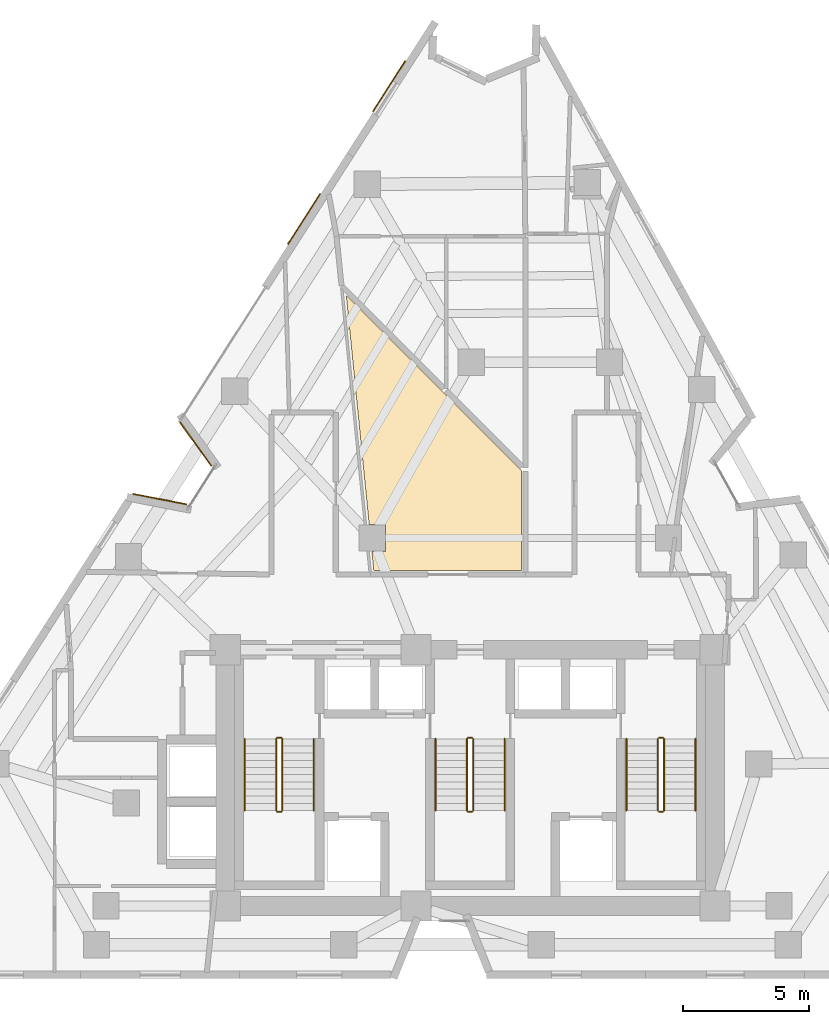
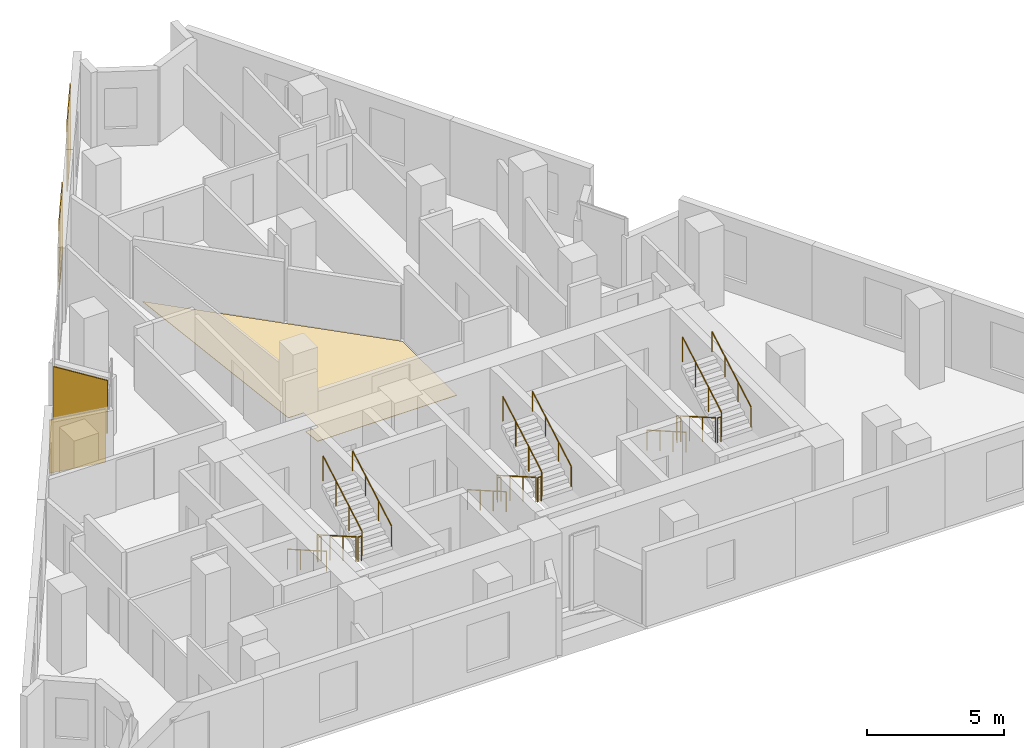
# One storey, part 10 of 10: 18 railings, 5 coverings.
"""IFC4 building model written with IfcOpenShell, lengths in metres."""

from ifc_helpers import new_model, si_unit, direction, frame, origin, origin_2d, place, context, subcontext, project, spatial, polyline, rectangle, circle, outline, extrude, material, layer, layer_set, type_object, element, save


model = new_model("IFC4")

# Units and contexts
model_context = context("Model", 3, precision=1e-05, world=origin(), true_north=direction((0.0, 1.0)))
body_context = subcontext(model_context, "Body", "Model", "MODEL_VIEW")
ifc_project = project(units=[si_unit("LENGTHUNIT", "METRE"), si_unit("AREAUNIT", "SQUARE_METRE"), si_unit("VOLUMEUNIT", "CUBIC_METRE"), si_unit("PLANEANGLEUNIT", "RADIAN"), si_unit("MASSUNIT", "GRAM", prefix="KILO")], contexts=[model_context])

# Site, building, storey
site_placement = place(None, origin())
site = spatial("IfcSite", under=ifc_project, at=site_placement, CompositionType="ELEMENT")
building_placement = place(site_placement, origin())
building = spatial("IfcBuilding", under=site, at=building_placement, Name="Almagre Mirador Tower", CompositionType="ELEMENT")
storey_placement = place(building_placement, frame((0.0, 0.0, 164.39990234375)))
storey = spatial("IfcBuildingStorey", under=building, at=storey_placement, Name="L42", CompositionType="ELEMENT", Elevation=164.39990234375)

# Coverings
ifc_material_1 = material(Name="Almagre terracotta architectural cladding", Category="masonry")
ifc_layer_1 = layer(ifc_material_1, 0.044921875)
ifc_layer_set_1 = layer_set([ifc_layer_1], Name="Almagre terracotta architectural cladding")
covering_type_1 = type_object("IfcCoveringType", Name="COV-CLAD-ALMAGRE", PredefinedType="CLADDING", material=ifc_layer_set_1)
covering_1_placement = place(storey_placement, frame((24.943359375, 20.74951171875, 0.10009765625), z_axis=(0.0, 0.0, 1.0), x_axis=(0.981746878502, -0.190192183203, 0.0)))
element("IfcCovering", 1, at=covering_1_placement, inside=storey, type_object=covering_type_1, Name="L42 almagre terracotta pier cladding", PredefinedType="CLADDING", context=body_context, shape_type="SweptSolid", body=[
    extrude(rectangle(XDim=2.193115234375, YDim=0.044921875, at=origin_2d()), origin(), (0.0, 0.0, 1.0), 2.375),
])
covering_2_placement = place(storey_placement, frame((26.359375, 22.95947265625, 0.10009765625), z_axis=(0.0, 0.0, 1.0), x_axis=(-0.583002488864, 0.812470367446, 0.0)))
element("IfcCovering", 2, at=covering_2_placement, inside=storey, type_object=covering_type_1, Name="L42 almagre terracotta pier cladding", PredefinedType="CLADDING", context=body_context, shape_type="SweptSolid", body=[
    extrude(rectangle(XDim=2.194091796875, YDim=0.044921875, at=origin_2d()), origin(), (0.0, 0.0, 1.0), 2.375),
])
for number, where, z_axis, x_axis, name in (
    (3, (30.688232421875, 31.9091796875, 0.10009765625), (0.0, 0.0, 1.0), (0.539535148555, 0.841963077263, 0.0), "L42 almagre terracotta pier cladding"),
    (4, (34.07763671875, 37.1982421875, 0.10009765625), (0.0, 0.0, 1.0), (0.539520453445, 0.841972493799, 0.0), "L42 almagre terracotta pier cladding"),
):
    element("IfcCovering", number, at=place(storey_placement, frame(where, z_axis=z_axis, x_axis=x_axis)), inside=storey, type_object=covering_type_1, Name=name, PredefinedType="CLADDING", context=body_context, shape_type="SweptSolid", body=[
        extrude(rectangle(XDim=2.39990234375, YDim=0.044921875, at=origin_2d()), origin(), (0.0, 0.0, 1.0), 3.14990234375),
    ])
ifc_material_2 = material(Name="Engineered white oak flooring", Category="wood")
ifc_layer_2 = layer(ifc_material_2, 0.01806640625)
ifc_layer_set_2 = layer_set([ifc_layer_2], Name="Engineered white oak flooring")
covering_type_2 = type_object("IfcCoveringType", Name="COV-FLR-OAK-18", PredefinedType="FLOORING", material=ifc_layer_set_2)
covering_3_placement = place(storey_placement, origin())
element("IfcCovering", 5, at=covering_3_placement, inside=storey, type_object=covering_type_2, Name="L42 L42 Residents Reading Gallery G finish flooring", PredefinedType="FLOORING", context=body_context, shape_type="SweptSolid", body=[
    extrude(outline(polyline([(33.466064453125, 17.89990234375), (33.388916015625, 18.669921875), (33.929931640625, 18.669921875), (33.929931640625, 19.72998046875), (33.282958984375, 19.72998046875), (32.37109375, 28.846923828125), (39.35009765625, 21.867919921875), (39.35009765625, 17.89990234375), (33.466064453125, 17.89990234375)])), origin(), (0.0, 0.0, 1.0), 0.01806640625),
])

# Railings
ifc_material_3 = material(Name="Painted galvanized steel", Category="steel")
railing_type_1 = type_object("IfcRailingType", Name="RLG-GRD-1100", PredefinedType="GUARDRAIL", material=ifc_material_3)
railing_1_placement = place(storey_placement, frame((29.574951171875, 11.199951171875, 0.163818359375)))
element("IfcRailing", 6, at=railing_1_placement, inside=storey, type_object=railing_type_1, Name="L42 ST-1 stair guard 1", PredefinedType="GUARDRAIL", context=body_context, shape_type="SweptSolid", body=[
    extrude(circle(Radius=0.02392578125, at=origin_2d()), frame((0.0, 0.0, 1.09619140625), z_axis=(0.0, -0.867226363773, 0.497914082927), x_axis=(1.0, 0.0, 0.0)), (0.0, 0.0, 1.0), 3.2861328125),
    extrude(circle(Radius=0.02099609375, at=origin_2d()), origin(), (0.0, 0.0, 1.0), 1.072021484375),
    extrude(circle(Radius=0.02099609375, at=origin_2d()), frame((0.0, -0.949951171875, 0.54541015625)), (0.0, 0.0, 1.0), 1.072021484375),
    extrude(circle(Radius=0.02099609375, at=origin_2d()), frame((0.0, -1.89990234375, 1.0908203125)), (0.0, 0.0, 1.0), 1.072021484375),
    extrude(circle(Radius=0.02099609375, at=origin_2d()), frame((0.0, -2.849853515625, 1.63623046875)), (0.0, 0.0, 1.0), 1.072021484375),
])
railing_2_placement = place(storey_placement, frame((29.625, 8.300048828125, 1.800048828125)))
element("IfcRailing", 7, at=railing_2_placement, inside=storey, type_object=railing_type_1, Name="L42 ST-1 stair guard 2", PredefinedType="GUARDRAIL", context=body_context, shape_type="SweptSolid", body=[
    extrude(circle(Radius=0.02392578125, at=origin_2d()), frame((0.0, 0.0, 1.09619140625), z_axis=(1.0, 0.0, 0.0), x_axis=(0.0, 1.0, 0.0)), (0.0, 0.0, 1.0), 0.14990234375),
    extrude(circle(Radius=0.02099609375, at=origin_2d()), origin(), (0.0, 0.0, 1.0), 1.072021484375),
    extrude(circle(Radius=0.02099609375, at=origin_2d()), frame((0.14990234375, 0.0, 0.0)), (0.0, 0.0, 1.0), 1.072021484375),
])
railing_3_placement = place(storey_placement, frame((29.824951171875, 8.35009765625, 1.963623046875)))
element("IfcRailing", 8, at=railing_3_placement, inside=storey, type_object=railing_type_1, Name="L42 ST-1 stair guard 3", PredefinedType="GUARDRAIL", context=body_context, shape_type="SweptSolid", body=[
    extrude(circle(Radius=0.02392578125, at=origin_2d()), frame((0.0, 0.0, 1.09619140625), z_axis=(0.0, 0.867194282975, 0.497969954491), x_axis=(-1.0, 0.0, 0.0)), (0.0, 0.0, 1.0), 3.286376953125),
    extrude(circle(Radius=0.02099609375, at=origin_2d()), origin(), (0.0, 0.0, 1.0), 1.072021484375),
    extrude(circle(Radius=0.02099609375, at=origin_2d()), frame((0.0, 0.949951171875, 0.54541015625)), (0.0, 0.0, 1.0), 1.072021484375),
    extrude(circle(Radius=0.02099609375, at=origin_2d()), frame((0.0, 1.89990234375, 1.091064453125)), (0.0, 0.0, 1.0), 1.072021484375),
    extrude(circle(Radius=0.02099609375, at=origin_2d()), frame((0.0, 2.849853515625, 1.636474609375)), (0.0, 0.0, 1.0), 1.072021484375),
])
railing_4_placement = place(storey_placement, frame((29.625, 11.25, 0.0)))
element("IfcRailing", 9, at=railing_4_placement, inside=storey, type_object=railing_type_1, Name="L42 ST-1 stair guard 4", PredefinedType="GUARDRAIL", context=body_context, shape_type="SweptSolid", body=[
    extrude(circle(Radius=0.02392578125, at=origin_2d()), frame((0.0, 0.0, 1.09619140625), z_axis=(1.0, 0.0, 0.0), x_axis=(0.0, 1.0, 0.0)), (0.0, 0.0, 1.0), 0.14990234375),
    extrude(circle(Radius=0.02099609375, at=origin_2d()), origin(), (0.0, 0.0, 1.0), 1.072021484375),
    extrude(circle(Radius=0.02099609375, at=origin_2d()), frame((0.14990234375, 0.0, 0.0)), (0.0, 0.0, 1.0), 1.072021484375),
])
railing_5_placement = place(storey_placement, frame((37.175048828125, 11.199951171875, 0.163818359375)))
element("IfcRailing", 10, at=railing_5_placement, inside=storey, type_object=railing_type_1, Name="L42 ST-2 stair guard 1", PredefinedType="GUARDRAIL", context=body_context, shape_type="SweptSolid", body=[
    extrude(circle(Radius=0.02392578125, at=origin_2d()), frame((0.0, 0.0, 1.09619140625), z_axis=(0.0, -0.867226363773, 0.497914082927), x_axis=(1.0, 0.0, 0.0)), (0.0, 0.0, 1.0), 3.2861328125),
    extrude(circle(Radius=0.02099609375, at=origin_2d()), origin(), (0.0, 0.0, 1.0), 1.072021484375),
    extrude(circle(Radius=0.02099609375, at=origin_2d()), frame((0.0, -0.949951171875, 0.54541015625)), (0.0, 0.0, 1.0), 1.072021484375),
    extrude(circle(Radius=0.02099609375, at=origin_2d()), frame((0.0, -1.89990234375, 1.0908203125)), (0.0, 0.0, 1.0), 1.072021484375),
    extrude(circle(Radius=0.02099609375, at=origin_2d()), frame((0.0, -2.849853515625, 1.63623046875)), (0.0, 0.0, 1.0), 1.072021484375),
])
railing_6_placement = place(storey_placement, frame((37.22509765625, 8.300048828125, 1.800048828125)))
element("IfcRailing", 11, at=railing_6_placement, inside=storey, type_object=railing_type_1, Name="L42 ST-2 stair guard 2", PredefinedType="GUARDRAIL", context=body_context, shape_type="SweptSolid", body=[
    extrude(circle(Radius=0.02392578125, at=origin_2d()), frame((0.0, 0.0, 1.09619140625), z_axis=(1.0, 0.0, 0.0), x_axis=(0.0, 1.0, 0.0)), (0.0, 0.0, 1.0), 0.14990234375),
    extrude(circle(Radius=0.02099609375, at=origin_2d()), origin(), (0.0, 0.0, 1.0), 1.072021484375),
    extrude(circle(Radius=0.02099609375, at=origin_2d()), frame((0.14990234375, 0.0, 0.0)), (0.0, 0.0, 1.0), 1.072021484375),
])
railing_7_placement = place(storey_placement, frame((37.425048828125, 8.35009765625, 1.963623046875)))
element("IfcRailing", 12, at=railing_7_placement, inside=storey, type_object=railing_type_1, Name="L42 ST-2 stair guard 3", PredefinedType="GUARDRAIL", context=body_context, shape_type="SweptSolid", body=[
    extrude(circle(Radius=0.02392578125, at=origin_2d()), frame((0.0, 0.0, 1.09619140625), z_axis=(0.0, 0.867194282975, 0.497969954491), x_axis=(-1.0, 0.0, 0.0)), (0.0, 0.0, 1.0), 3.286376953125),
    extrude(circle(Radius=0.02099609375, at=origin_2d()), origin(), (0.0, 0.0, 1.0), 1.072021484375),
    extrude(circle(Radius=0.02099609375, at=origin_2d()), frame((0.0, 0.949951171875, 0.54541015625)), (0.0, 0.0, 1.0), 1.072021484375),
    extrude(circle(Radius=0.02099609375, at=origin_2d()), frame((0.0, 1.89990234375, 1.091064453125)), (0.0, 0.0, 1.0), 1.072021484375),
    extrude(circle(Radius=0.02099609375, at=origin_2d()), frame((0.0, 2.849853515625, 1.636474609375)), (0.0, 0.0, 1.0), 1.072021484375),
])
railing_8_placement = place(storey_placement, frame((37.22509765625, 11.25, 0.0)))
element("IfcRailing", 13, at=railing_8_placement, inside=storey, type_object=railing_type_1, Name="L42 ST-2 stair guard 4", PredefinedType="GUARDRAIL", context=body_context, shape_type="SweptSolid", body=[
    extrude(circle(Radius=0.02392578125, at=origin_2d()), frame((0.0, 0.0, 1.09619140625), z_axis=(1.0, 0.0, 0.0), x_axis=(0.0, 1.0, 0.0)), (0.0, 0.0, 1.0), 0.14990234375),
    extrude(circle(Radius=0.02099609375, at=origin_2d()), origin(), (0.0, 0.0, 1.0), 1.072021484375),
    extrude(circle(Radius=0.02099609375, at=origin_2d()), frame((0.14990234375, 0.0, 0.0)), (0.0, 0.0, 1.0), 1.072021484375),
])
railing_9_placement = place(storey_placement, frame((44.77490234375, 11.199951171875, 0.163818359375)))
element("IfcRailing", 14, at=railing_9_placement, inside=storey, type_object=railing_type_1, Name="L42 ST-3 stair guard 1", PredefinedType="GUARDRAIL", context=body_context, shape_type="SweptSolid", body=[
    extrude(circle(Radius=0.02392578125, at=origin_2d()), frame((0.0, 0.0, 1.09619140625), z_axis=(0.0, -0.867226363773, 0.497914082927), x_axis=(1.0, 0.0, 0.0)), (0.0, 0.0, 1.0), 3.2861328125),
    extrude(circle(Radius=0.02099609375, at=origin_2d()), origin(), (0.0, 0.0, 1.0), 1.072021484375),
    extrude(circle(Radius=0.02099609375, at=origin_2d()), frame((0.0, -0.949951171875, 0.54541015625)), (0.0, 0.0, 1.0), 1.072021484375),
    extrude(circle(Radius=0.02099609375, at=origin_2d()), frame((0.0, -1.89990234375, 1.0908203125)), (0.0, 0.0, 1.0), 1.072021484375),
    extrude(circle(Radius=0.02099609375, at=origin_2d()), frame((0.0, -2.849853515625, 1.63623046875)), (0.0, 0.0, 1.0), 1.072021484375),
])
railing_10_placement = place(storey_placement, frame((44.824951171875, 8.300048828125, 1.800048828125)))
element("IfcRailing", 15, at=railing_10_placement, inside=storey, type_object=railing_type_1, Name="L42 ST-3 stair guard 2", PredefinedType="GUARDRAIL", context=body_context, shape_type="SweptSolid", body=[
    extrude(circle(Radius=0.02392578125, at=origin_2d()), frame((0.0, 0.0, 1.09619140625), z_axis=(1.0, 0.0, 0.0), x_axis=(0.0, 1.0, 0.0)), (0.0, 0.0, 1.0), 0.150146484375),
    extrude(circle(Radius=0.02099609375, at=origin_2d()), origin(), (0.0, 0.0, 1.0), 1.072021484375),
    extrude(circle(Radius=0.02099609375, at=origin_2d()), frame((0.150146484375, 0.0, 0.0)), (0.0, 0.0, 1.0), 1.072021484375),
])
railing_11_placement = place(storey_placement, frame((45.02490234375, 8.35009765625, 1.963623046875)))
element("IfcRailing", 16, at=railing_11_placement, inside=storey, type_object=railing_type_1, Name="L42 ST-3 stair guard 3", PredefinedType="GUARDRAIL", context=body_context, shape_type="SweptSolid", body=[
    extrude(circle(Radius=0.02392578125, at=origin_2d()), frame((0.0, 0.0, 1.09619140625), z_axis=(0.0, 0.867194282975, 0.497969954491), x_axis=(-1.0, 0.0, 0.0)), (0.0, 0.0, 1.0), 3.286376953125),
    extrude(circle(Radius=0.02099609375, at=origin_2d()), origin(), (0.0, 0.0, 1.0), 1.072021484375),
    extrude(circle(Radius=0.02099609375, at=origin_2d()), frame((0.0, 0.949951171875, 0.54541015625)), (0.0, 0.0, 1.0), 1.072021484375),
    extrude(circle(Radius=0.02099609375, at=origin_2d()), frame((0.0, 1.89990234375, 1.091064453125)), (0.0, 0.0, 1.0), 1.072021484375),
    extrude(circle(Radius=0.02099609375, at=origin_2d()), frame((0.0, 2.849853515625, 1.636474609375)), (0.0, 0.0, 1.0), 1.072021484375),
])
railing_12_placement = place(storey_placement, frame((44.824951171875, 11.25, 0.0)))
element("IfcRailing", 17, at=railing_12_placement, inside=storey, type_object=railing_type_1, Name="L42 ST-3 stair guard 4", PredefinedType="GUARDRAIL", context=body_context, shape_type="SweptSolid", body=[
    extrude(circle(Radius=0.02392578125, at=origin_2d()), frame((0.0, 0.0, 1.09619140625), z_axis=(1.0, 0.0, 0.0), x_axis=(0.0, 1.0, 0.0)), (0.0, 0.0, 1.0), 0.150146484375),
    extrude(circle(Radius=0.02099609375, at=origin_2d()), origin(), (0.0, 0.0, 1.0), 1.072021484375),
    extrude(circle(Radius=0.02099609375, at=origin_2d()), frame((0.150146484375, 0.0, 0.0)), (0.0, 0.0, 1.0), 1.072021484375),
])
ifc_material_4 = material(Name="Brushed stainless steel", Category="steel")
railing_type_2 = type_object("IfcRailingType", Name="RLG-HND-915", PredefinedType="HANDRAIL", material=ifc_material_4)
railing_13_placement = place(storey_placement, frame((28.324951171875, 11.199951171875, 0.163818359375)))
element("IfcRailing", 18, at=railing_13_placement, inside=storey, type_object=railing_type_2, Name="L42 ST-1 stair handrail 1", PredefinedType="HANDRAIL", context=body_context, shape_type="SweptSolid", body=[
    extrude(circle(Radius=0.02392578125, at=origin_2d()), frame((0.0, 0.0, 0.89111328125), z_axis=(0.0, -0.867226363773, 0.497914082927), x_axis=(1.0, 0.0, 0.0)), (0.0, 0.0, 1.0), 3.2861328125),
    extrude(circle(Radius=0.02099609375, at=origin_2d()), origin(), (0.0, 0.0, 1.0), 0.866943359375),
    extrude(circle(Radius=0.02099609375, at=origin_2d()), frame((0.0, -0.949951171875, 0.54541015625)), (0.0, 0.0, 1.0), 0.866943359375),
    extrude(circle(Radius=0.02099609375, at=origin_2d()), frame((0.0, -1.89990234375, 1.0908203125)), (0.0, 0.0, 1.0), 0.866943359375),
    extrude(circle(Radius=0.02099609375, at=origin_2d()), frame((0.0, -2.849853515625, 1.63623046875)), (0.0, 0.0, 1.0), 0.866943359375),
])
railing_14_placement = place(storey_placement, frame((31.074951171875, 8.35009765625, 1.963623046875)))
element("IfcRailing", 19, at=railing_14_placement, inside=storey, type_object=railing_type_2, Name="L42 ST-1 stair handrail 2", PredefinedType="HANDRAIL", context=body_context, shape_type="SweptSolid", body=[
    extrude(circle(Radius=0.02392578125, at=origin_2d()), frame((0.0, 0.0, 0.89111328125), z_axis=(0.0, 0.867194282975, 0.497969954491), x_axis=(-1.0, 0.0, 0.0)), (0.0, 0.0, 1.0), 3.286376953125),
    extrude(circle(Radius=0.02099609375, at=origin_2d()), origin(), (0.0, 0.0, 1.0), 0.866943359375),
    extrude(circle(Radius=0.02099609375, at=origin_2d()), frame((0.0, 0.949951171875, 0.54541015625)), (0.0, 0.0, 1.0), 0.866943359375),
    extrude(circle(Radius=0.02099609375, at=origin_2d()), frame((0.0, 1.89990234375, 1.091064453125)), (0.0, 0.0, 1.0), 0.866943359375),
    extrude(circle(Radius=0.02099609375, at=origin_2d()), frame((0.0, 2.849853515625, 1.636474609375)), (0.0, 0.0, 1.0), 0.866943359375),
])
railing_15_placement = place(storey_placement, frame((35.925048828125, 11.199951171875, 0.163818359375)))
element("IfcRailing", 20, at=railing_15_placement, inside=storey, type_object=railing_type_2, Name="L42 ST-2 stair handrail 1", PredefinedType="HANDRAIL", context=body_context, shape_type="SweptSolid", body=[
    extrude(circle(Radius=0.02392578125, at=origin_2d()), frame((0.0, 0.0, 0.89111328125), z_axis=(0.0, -0.867226363773, 0.497914082927), x_axis=(1.0, 0.0, 0.0)), (0.0, 0.0, 1.0), 3.2861328125),
    extrude(circle(Radius=0.02099609375, at=origin_2d()), origin(), (0.0, 0.0, 1.0), 0.866943359375),
    extrude(circle(Radius=0.02099609375, at=origin_2d()), frame((0.0, -0.949951171875, 0.54541015625)), (0.0, 0.0, 1.0), 0.866943359375),
    extrude(circle(Radius=0.02099609375, at=origin_2d()), frame((0.0, -1.89990234375, 1.0908203125)), (0.0, 0.0, 1.0), 0.866943359375),
    extrude(circle(Radius=0.02099609375, at=origin_2d()), frame((0.0, -2.849853515625, 1.63623046875)), (0.0, 0.0, 1.0), 0.866943359375),
])
railing_16_placement = place(storey_placement, frame((38.675048828125, 8.35009765625, 1.963623046875)))
element("IfcRailing", 21, at=railing_16_placement, inside=storey, type_object=railing_type_2, Name="L42 ST-2 stair handrail 2", PredefinedType="HANDRAIL", context=body_context, shape_type="SweptSolid", body=[
    extrude(circle(Radius=0.02392578125, at=origin_2d()), frame((0.0, 0.0, 0.89111328125), z_axis=(0.0, 0.867194282975, 0.497969954491), x_axis=(-1.0, 0.0, 0.0)), (0.0, 0.0, 1.0), 3.286376953125),
    extrude(circle(Radius=0.02099609375, at=origin_2d()), origin(), (0.0, 0.0, 1.0), 0.866943359375),
    extrude(circle(Radius=0.02099609375, at=origin_2d()), frame((0.0, 0.949951171875, 0.54541015625)), (0.0, 0.0, 1.0), 0.866943359375),
    extrude(circle(Radius=0.02099609375, at=origin_2d()), frame((0.0, 1.89990234375, 1.091064453125)), (0.0, 0.0, 1.0), 0.866943359375),
    extrude(circle(Radius=0.02099609375, at=origin_2d()), frame((0.0, 2.849853515625, 1.636474609375)), (0.0, 0.0, 1.0), 0.866943359375),
])
railing_17_placement = place(storey_placement, frame((43.52490234375, 11.199951171875, 0.163818359375)))
element("IfcRailing", 22, at=railing_17_placement, inside=storey, type_object=railing_type_2, Name="L42 ST-3 stair handrail 1", PredefinedType="HANDRAIL", context=body_context, shape_type="SweptSolid", body=[
    extrude(circle(Radius=0.02392578125, at=origin_2d()), frame((0.0, 0.0, 0.89111328125), z_axis=(0.0, -0.867226363773, 0.497914082927), x_axis=(1.0, 0.0, 0.0)), (0.0, 0.0, 1.0), 3.2861328125),
    extrude(circle(Radius=0.02099609375, at=origin_2d()), origin(), (0.0, 0.0, 1.0), 0.866943359375),
    extrude(circle(Radius=0.02099609375, at=origin_2d()), frame((0.0, -0.949951171875, 0.54541015625)), (0.0, 0.0, 1.0), 0.866943359375),
    extrude(circle(Radius=0.02099609375, at=origin_2d()), frame((0.0, -1.89990234375, 1.0908203125)), (0.0, 0.0, 1.0), 0.866943359375),
    extrude(circle(Radius=0.02099609375, at=origin_2d()), frame((0.0, -2.849853515625, 1.63623046875)), (0.0, 0.0, 1.0), 0.866943359375),
])
railing_18_placement = place(storey_placement, frame((46.27490234375, 8.35009765625, 1.963623046875)))
element("IfcRailing", 23, at=railing_18_placement, inside=storey, type_object=railing_type_2, Name="L42 ST-3 stair handrail 2", PredefinedType="HANDRAIL", context=body_context, shape_type="SweptSolid", body=[
    extrude(circle(Radius=0.02392578125, at=origin_2d()), frame((0.0, 0.0, 0.89111328125), z_axis=(0.0, 0.867194282975, 0.497969954491), x_axis=(-1.0, 0.0, 0.0)), (0.0, 0.0, 1.0), 3.286376953125),
    extrude(circle(Radius=0.02099609375, at=origin_2d()), origin(), (0.0, 0.0, 1.0), 0.866943359375),
    extrude(circle(Radius=0.02099609375, at=origin_2d()), frame((0.0, 0.949951171875, 0.54541015625)), (0.0, 0.0, 1.0), 0.866943359375),
    extrude(circle(Radius=0.02099609375, at=origin_2d()), frame((0.0, 1.89990234375, 1.091064453125)), (0.0, 0.0, 1.0), 0.866943359375),
    extrude(circle(Radius=0.02099609375, at=origin_2d()), frame((0.0, 2.849853515625, 1.636474609375)), (0.0, 0.0, 1.0), 0.866943359375),
])

save(model, "model.ifc")
